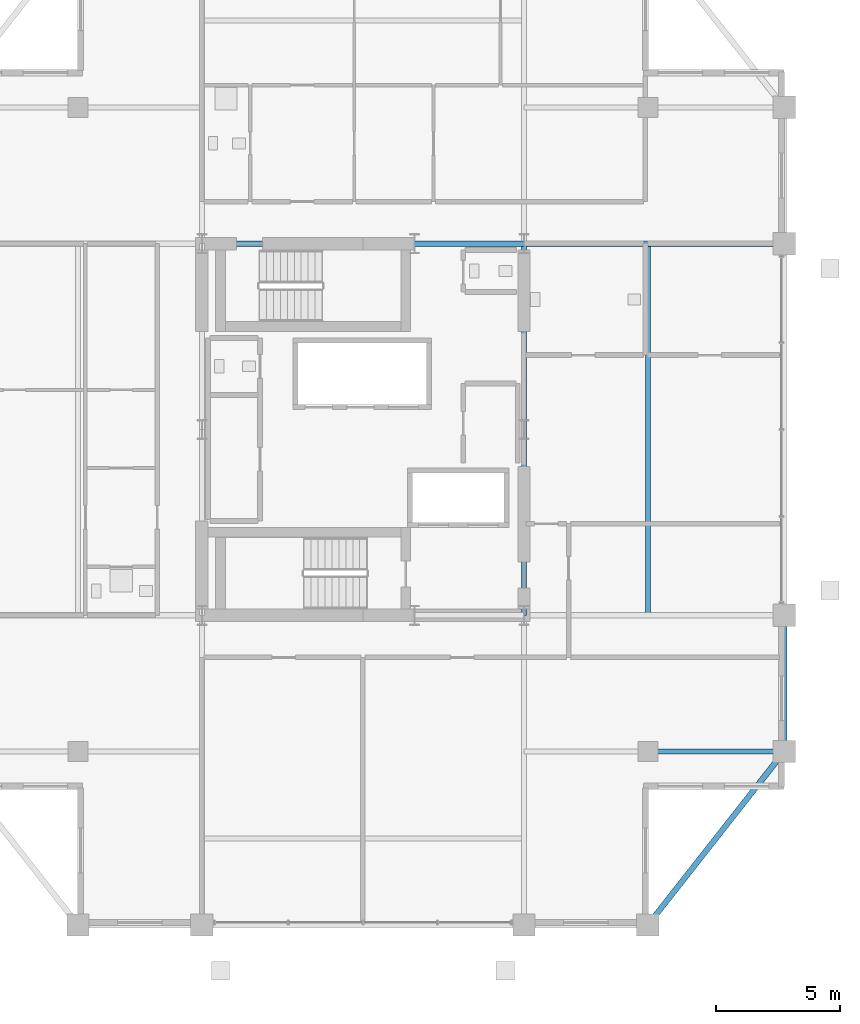
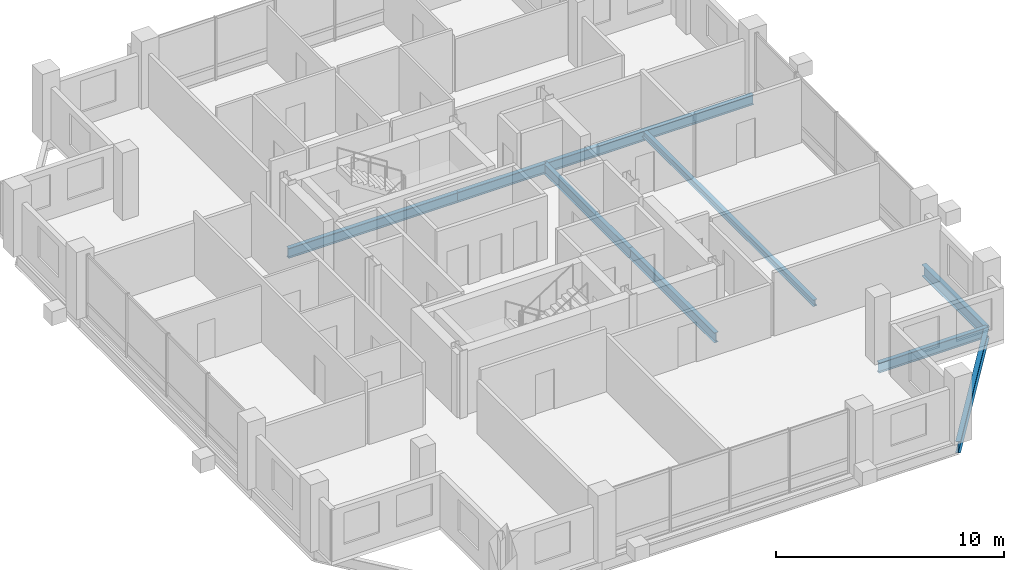
# One storey, part 9 of 21: 9 beams.
"""IFC4 building model written with IfcOpenShell, lengths in metres."""

from ifc_helpers import new_model, si_unit, direction, frame, origin, origin_2d, place, context, subcontext, project, spatial, i_section, extrude, material, material_profile, profile_set, type_object, element, save


model = new_model("IFC4")

# Units and contexts
model_context = context("Model", 3, precision=1e-05, world=origin(), true_north=direction((0.0, 1.0)))
body_context = subcontext(model_context, "Body", "Model", "MODEL_VIEW")
ifc_project = project(units=[si_unit("LENGTHUNIT", "METRE"), si_unit("AREAUNIT", "SQUARE_METRE"), si_unit("VOLUMEUNIT", "CUBIC_METRE"), si_unit("PLANEANGLEUNIT", "RADIAN"), si_unit("MASSUNIT", "GRAM", prefix="KILO")], contexts=[model_context])

# Site, building, storey
site_placement = place(None, origin())
site = spatial("IfcSite", under=ifc_project, at=site_placement, CompositionType="ELEMENT")
building_placement = place(site_placement, origin())
building = spatial("IfcBuilding", under=site, at=building_placement, Name="Barlavira Tower and Art Museum", CompositionType="ELEMENT")
storey_placement = place(building_placement, frame((0.0, 0.0, 222.300048828125)))
storey = spatial("IfcBuildingStorey", under=building, at=storey_placement, Name="L57", CompositionType="ELEMENT", Elevation=222.300048828125)

# Beams
ifc_material = material(Name="Steel S355", Category="steel")
ifc_material_profile_1 = material_profile(ifc_material, i_section(OverallWidth=0.22998046875, OverallDepth=0.616943359375, WebThickness=0.01318359375, FlangeThickness=0.022216796875, at=origin_2d()), Name="W610x140.0")
ifc_profile_set_1 = profile_set([ifc_material_profile_1], Name="Steel S355")
beam_type_1 = type_object("IfcBeamType", Name="Upper Shaft Spandrel Edge Beam W610x140 Steel S355", PredefinedType="SPANDREL", material=ifc_profile_set_1)
beam_1_placement = place(storey_placement, frame((11.5, -20.0, -0.528564453125), z_axis=(0.617821551932, 0.786318338822, 0.0), x_axis=(-0.786318338822, 0.617821551932, 0.0)))
element("IfcBeam", 1, at=beam_1_placement, inside=storey, type_object=beam_type_1, Name="L57 Spandrel 4", PredefinedType="SPANDREL", context=body_context, shape_type="SweptSolid", body=[
    extrude(i_section(OverallWidth=0.22998046875, OverallDepth=0.616943359375, WebThickness=0.01318359375, FlangeThickness=0.022216796875, at=origin_2d()), origin(), (0.0, 0.0, 1.0), 8.90234375),
])
beam_2_placement = place(storey_placement, frame((17.0, -13.0, -0.528564453125), z_axis=(0.0, 1.0, 0.0), x_axis=(-1.0, 0.0, 0.0)))
element("IfcBeam", 2, at=beam_2_placement, inside=storey, type_object=beam_type_1, Name="L57 Spandrel 5", PredefinedType="SPANDREL", context=body_context, shape_type="SweptSolid", body=[
    extrude(i_section(OverallWidth=0.22998046875, OverallDepth=0.616943359375, WebThickness=0.01318359375, FlangeThickness=0.022216796875, at=origin_2d()), origin(), (0.0, 0.0, 1.0), 5.5),
])
ifc_material_profile_2 = material_profile(ifc_material, i_section(OverallWidth=0.2109375, OverallDepth=0.5390625, WebThickness=0.01171875, FlangeThickness=0.018798828125, at=origin_2d()), Name="W530x109.0")
ifc_profile_set_2 = profile_set([ifc_material_profile_2], Name="Steel S355")
beam_type_2 = type_object("IfcBeamType", Name="Zone 3-4 Primary Floor Girder W530x109 Steel S355", PredefinedType="BEAM", material=ifc_profile_set_2)
beam_3_placement = place(storey_placement, frame((-6.5, 7.5, -0.489501953125), z_axis=(1.0, 0.0, 0.0), x_axis=(0.0, 1.0, 0.0)))
element("IfcBeam", 3, at=beam_3_placement, inside=storey, type_object=beam_type_2, Name="L57 Girder C-N1", PredefinedType="BEAM", context=body_context, shape_type="SweptSolid", body=[
    extrude(i_section(OverallWidth=0.2109375, OverallDepth=0.5390625, WebThickness=0.01171875, FlangeThickness=0.018798828125, at=origin_2d()), origin(), (0.0, 0.0, 1.0), 8.580078125),
])
beam_4_placement = place(storey_placement, frame((2.080078125, 7.5, -0.489501953125), z_axis=(1.0, 0.0, 0.0), x_axis=(0.0, 1.0, 0.0)))
element("IfcBeam", 4, at=beam_4_placement, inside=storey, type_object=beam_type_2, Name="L57 Girder C-N2", PredefinedType="BEAM", context=body_context, shape_type="SweptSolid", body=[
    extrude(i_section(OverallWidth=0.2109375, OverallDepth=0.5390625, WebThickness=0.01171875, FlangeThickness=0.018798828125, at=origin_2d()), origin(), (0.0, 0.0, 1.0), 4.419921875),
])
for number, where, z_axis, x_axis, name in (
    (5, (6.5, -7.5, -0.489501953125), (0.0, 1.0, 0.0), (-1.0, 0.0, 0.0), "L57 Girder C-E1"),
    (6, (6.5, 0.0, -0.489501953125), (0.0, 1.0, 0.0), (-1.0, 0.0, 0.0), "L57 Girder C-E2"),
):
    element("IfcBeam", number, at=place(storey_placement, frame(where, z_axis=z_axis, x_axis=x_axis)), inside=storey, type_object=beam_type_2, Name=name, PredefinedType="BEAM", context=body_context, shape_type="SweptSolid", body=[
        extrude(i_section(OverallWidth=0.2109375, OverallDepth=0.5390625, WebThickness=0.01171875, FlangeThickness=0.018798828125, at=origin_2d()), origin(), (0.0, 0.0, 1.0), 7.5),
    ])
beam_5_placement = place(storey_placement, frame((6.5, 7.5, -0.489501953125), z_axis=(1.0, 0.0, 0.0), x_axis=(0.0, 1.0, 0.0)))
element("IfcBeam", 7, at=beam_5_placement, inside=storey, type_object=beam_type_2, Name="L57 Girder R-E2", PredefinedType="BEAM", context=body_context, shape_type="SweptSolid", body=[
    extrude(i_section(OverallWidth=0.2109375, OverallDepth=0.5390625, WebThickness=0.01171875, FlangeThickness=0.018798828125, at=origin_2d()), origin(), (0.0, 0.0, 1.0), 10.5),
])
beam_6_placement = place(storey_placement, frame((11.5, -13.0, -0.489501953125), z_axis=(1.0, 0.0, 0.0), x_axis=(0.0, 1.0, 0.0)))
element("IfcBeam", 8, at=beam_6_placement, inside=storey, type_object=beam_type_2, Name="L57 Girder I-S4", PredefinedType="BEAM", context=body_context, shape_type="SweptSolid", body=[
    extrude(i_section(OverallWidth=0.2109375, OverallDepth=0.5390625, WebThickness=0.01171875, FlangeThickness=0.018798828125, at=origin_2d()), origin(), (0.0, 0.0, 1.0), 5.5),
])
ifc_material_profile_3 = material_profile(ifc_material, i_section(OverallWidth=0.202880859375, OverallDepth=0.346923828125, WebThickness=0.0078125, FlangeThickness=0.013427734375, at=origin_2d()), Name="W360x64.0")
ifc_profile_set_3 = profile_set([ifc_material_profile_3], Name="Steel S355")
beam_type_3 = type_object("IfcBeamType", Name="Zone 4 Composite Floor Joist W360x64 Steel S355", PredefinedType="JOIST", material=ifc_profile_set_3)
beam_7_placement = place(storey_placement, frame((11.5, -7.5, -0.3935546875), z_axis=(0.0, 1.0, 0.0), x_axis=(-1.0, 0.0, 0.0)))
element("IfcBeam", 9, at=beam_7_placement, inside=storey, type_object=beam_type_3, Name="L57 Joist W2", PredefinedType="JOIST", context=body_context, shape_type="SweptSolid", body=[
    extrude(i_section(OverallWidth=0.202880859375, OverallDepth=0.346923828125, WebThickness=0.0078125, FlangeThickness=0.013427734375, at=origin_2d()), origin(), (0.0, 0.0, 1.0), 15.0),
])

save(model, "model.ifc")
